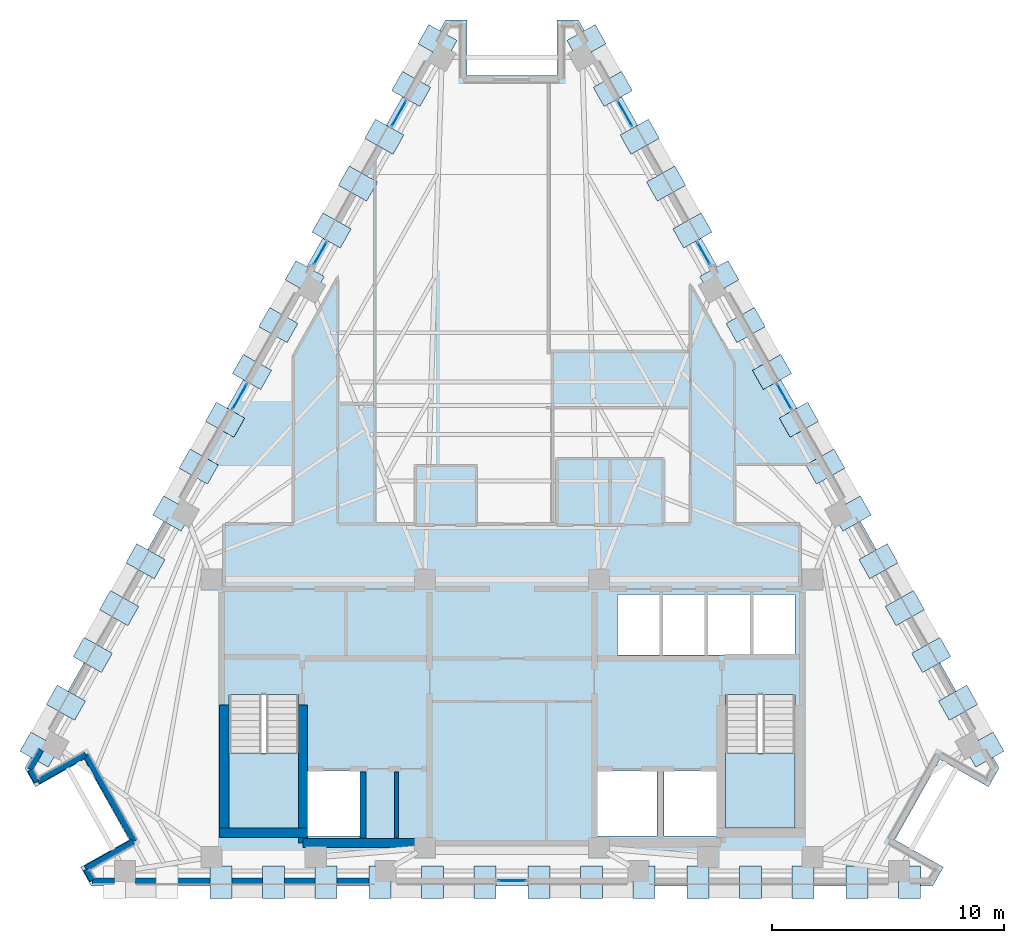
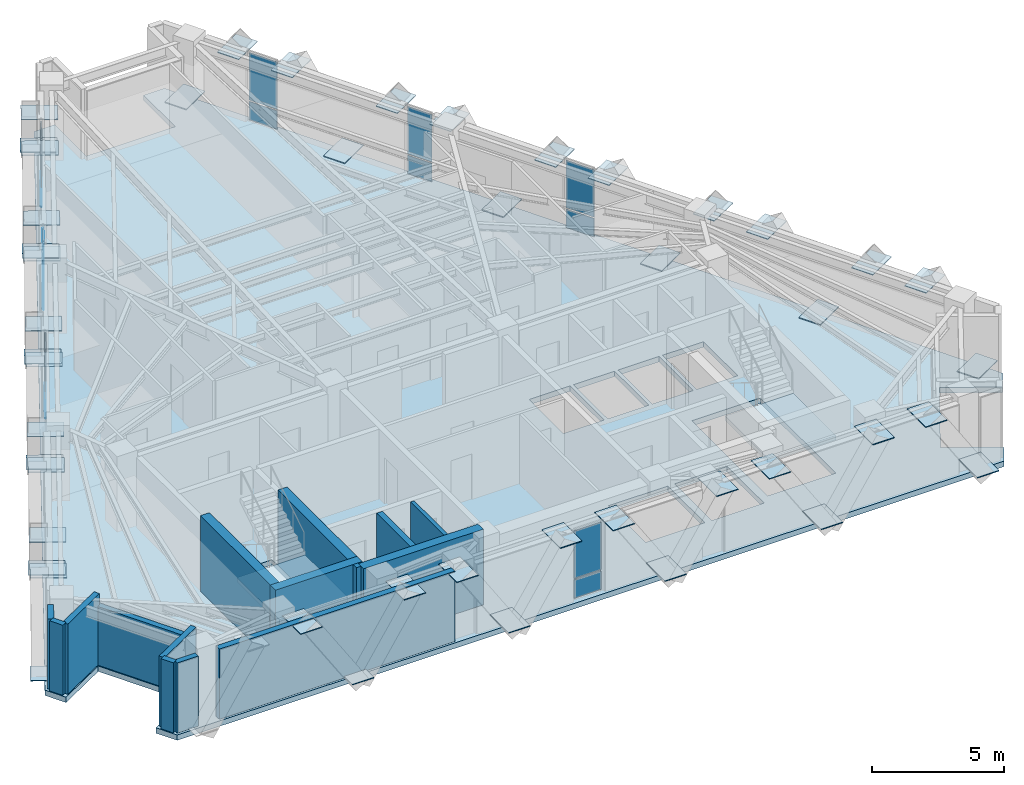
# One storey, part 6 of 12: 60 plates, 14 walls, 3 slabs, 9 elements without a shape of their own.
"""IFC4 building model written with IfcOpenShell, lengths in metres."""

from ifc_helpers import new_model, si_unit, direction, frame, frame_2d, origin, origin_2d, place, context, subcontext, project, spatial, polyline, rectangle, outline, extrude, material, layer, layer_set, type_object, element, aggregate, save


model = new_model("IFC4")

# Units and contexts
model_context = context("Model", 3, precision=1e-05, world=origin(), true_north=direction((0.0, 1.0)))
body_context = subcontext(model_context, "Body", "Model", "MODEL_VIEW")
ifc_project = project(units=[si_unit("LENGTHUNIT", "METRE"), si_unit("AREAUNIT", "SQUARE_METRE"), si_unit("VOLUMEUNIT", "CUBIC_METRE"), si_unit("PLANEANGLEUNIT", "RADIAN"), si_unit("MASSUNIT", "GRAM", prefix="KILO")], contexts=[model_context])

# Site, building, storey
site_placement = place(None, origin())
site = spatial("IfcSite", under=ifc_project, at=site_placement, CompositionType="ELEMENT")
building_placement = place(site_placement, origin())
building = spatial("IfcBuilding", under=site, at=building_placement, Name="Quenlor Broadcast Tower", CompositionType="ELEMENT")
storey_placement = place(building_placement, frame((0.0, 0.0, 211.39990234375)))
storey = spatial("IfcBuildingStorey", under=building, at=storey_placement, Name="L58", CompositionType="ELEMENT", Elevation=211.39990234375)

# Curtain wall, plates
ifc_material_1 = material(Name="Architectural Terracotta and Low-E Glazing", Category="masonry")
curtain_wall_type = type_object("IfcCurtainWallType", Name="Unitised Terracotta Curtain Wall System Z4", PredefinedType="NOTDEFINED", material=ifc_material_1)
curtain_wall_1_placement = place(storey_placement, origin())
curtain_wall_1 = element("IfcCurtainWall", 1, at=curtain_wall_1_placement, inside=storey, type_object=curtain_wall_type, Name="L58 Curtain Wall CW4 (L58-S-G1)", PredefinedType="NOTDEFINED")
ifc_material_2 = material(Name="Double Glazed Low-E Solar Glass", Category="glass")
ifc_layer_1 = layer(ifc_material_2, 0.028076171875)
ifc_layer_set_1 = layer_set([ifc_layer_1], Name="CW4 Double Glazed Vision Panel 28")
plate_type_1 = type_object("IfcPlateType", Name="CW4 Double Glazed Vision Panel 28", PredefinedType="CURTAIN_PANEL", material=ifc_layer_set_1)
plate_1_placement = place(storey_placement, frame((0.0, -17.77490234375, 0.068359375), z_axis=(0.0, 0.0, 1.0), x_axis=(-1.0, 0.0, 0.0)))
plate_1 = element("IfcPlate", 2, at=plate_1_placement, type_object=plate_type_1, Name="CW4 panel 1.1", PredefinedType="CURTAIN_PANEL", context=body_context, shape_type="SweptSolid", body=[
    extrude(rectangle(XDim=1.188720703125, YDim=0.028076171875, at=origin_2d()), origin(), (0.0, 0.0, 1.0), 0.847900390625),
])
plate_2_placement = place(storey_placement, frame((0.0, -17.77490234375, 0.98388671875), z_axis=(0.0, 0.0, 1.0), x_axis=(-1.0, 0.0, 0.0)))
plate_2 = element("IfcPlate", 3, at=plate_2_placement, type_object=plate_type_1, Name="CW4 panel 1.2", PredefinedType="CURTAIN_PANEL", context=body_context, shape_type="SweptSolid", body=[
    extrude(rectangle(XDim=1.188720703125, YDim=0.028076171875, at=origin_2d()), origin(), (0.0, 0.0, 1.0), 2.197998046875),
])
aggregate(curtain_wall_1, [plate_1, plate_2])

curtain_wall_2_placement = place(storey_placement, origin())
curtain_wall_2 = element("IfcCurtainWall", 4, at=curtain_wall_2_placement, inside=storey, type_object=curtain_wall_type, Name="L58 Curtain Wall CW4 (L58-NEA-G1)", PredefinedType="NOTDEFINED")
plate_3_placement = place(storey_placement, frame((4.87060546875, 15.281982421875, 0.068359375), z_axis=(0.0, 0.0, 1.0), x_axis=(0.490288844266, -0.871560008943, 0.0)))
plate_3 = element("IfcPlate", 5, at=plate_3_placement, type_object=plate_type_1, Name="CW4 panel 1.1", PredefinedType="CURTAIN_PANEL", context=body_context, shape_type="SweptSolid", body=[
    extrude(rectangle(XDim=1.239990234375, YDim=0.028076171875, at=origin_2d()), origin(), (0.0, 0.0, 1.0), 0.847900390625),
])
plate_4_placement = place(storey_placement, frame((4.87060546875, 15.281982421875, 0.98388671875), z_axis=(0.0, 0.0, 1.0), x_axis=(0.490288844266, -0.871560008943, 0.0)))
plate_4 = element("IfcPlate", 6, at=plate_4_placement, type_object=plate_type_1, Name="CW4 panel 1.2", PredefinedType="CURTAIN_PANEL", context=body_context, shape_type="SweptSolid", body=[
    extrude(rectangle(XDim=1.239990234375, YDim=0.028076171875, at=origin_2d()), origin(), (0.0, 0.0, 1.0), 2.197998046875),
])
aggregate(curtain_wall_2, [plate_3, plate_4])

curtain_wall_3_placement = place(storey_placement, origin())
curtain_wall_3 = element("IfcCurtainWall", 7, at=curtain_wall_3_placement, inside=storey, type_object=curtain_wall_type, Name="L58 Curtain Wall CW4 (L58-NEA-G2)", PredefinedType="NOTDEFINED")
plate_5_placement = place(storey_placement, frame((8.257080078125, 9.26171875, 0.068359375), z_axis=(0.0, 0.0, 1.0), x_axis=(0.490292850918, -0.871557755022, 0.0)))
plate_5 = element("IfcPlate", 8, at=plate_5_placement, type_object=plate_type_1, Name="CW4 panel 1.1", PredefinedType="CURTAIN_PANEL", context=body_context, shape_type="SweptSolid", body=[
    extrude(rectangle(XDim=1.0654296875, YDim=0.028076171875, at=origin_2d()), origin(), (0.0, 0.0, 1.0), 0.847900390625),
])
plate_6_placement = place(storey_placement, frame((8.257080078125, 9.26171875, 0.98388671875), z_axis=(0.0, 0.0, 1.0), x_axis=(0.490292850918, -0.871557755022, 0.0)))
plate_6 = element("IfcPlate", 9, at=plate_6_placement, type_object=plate_type_1, Name="CW4 panel 1.2", PredefinedType="CURTAIN_PANEL", context=body_context, shape_type="SweptSolid", body=[
    extrude(rectangle(XDim=1.0654296875, YDim=0.028076171875, at=origin_2d()), origin(), (0.0, 0.0, 1.0), 2.197998046875),
])
aggregate(curtain_wall_3, [plate_5, plate_6])

curtain_wall_4_placement = place(storey_placement, origin())
curtain_wall_4 = element("IfcCurtainWall", 10, at=curtain_wall_4_placement, inside=storey, type_object=curtain_wall_type, Name="L58 Curtain Wall CW4 (L58-NE-G1)", PredefinedType="NOTDEFINED")
plate_7_placement = place(storey_placement, frame((11.72900390625, 3.089599609375, 0.068359375), z_axis=(0.0, 0.0, 1.0), x_axis=(0.490288844266, -0.871560008943, 0.0)))
plate_7 = element("IfcPlate", 11, at=plate_7_placement, type_object=plate_type_1, Name="CW4 panel 1.1", PredefinedType="CURTAIN_PANEL", context=body_context, shape_type="SweptSolid", body=[
    extrude(rectangle(XDim=1.239990234375, YDim=0.028076171875, at=origin_2d()), origin(), (0.0, 0.0, 1.0), 0.847900390625),
])
plate_8_placement = place(storey_placement, frame((11.72900390625, 3.089599609375, 0.98388671875), z_axis=(0.0, 0.0, 1.0), x_axis=(0.490288844266, -0.871560008943, 0.0)))
plate_8 = element("IfcPlate", 12, at=plate_8_placement, type_object=plate_type_1, Name="CW4 panel 1.2", PredefinedType="CURTAIN_PANEL", context=body_context, shape_type="SweptSolid", body=[
    extrude(rectangle(XDim=1.239990234375, YDim=0.028076171875, at=origin_2d()), origin(), (0.0, 0.0, 1.0), 2.197998046875),
])
aggregate(curtain_wall_4, [plate_7, plate_8])

curtain_wall_5_placement = place(storey_placement, origin())
curtain_wall_5 = element("IfcCurtainWall", 13, at=curtain_wall_5_placement, inside=storey, type_object=curtain_wall_type, Name="L58 Curtain Wall CW4 (L58-NWC-G1)", PredefinedType="NOTDEFINED")
plate_9_placement = place(storey_placement, frame((-8.257080078125, 9.26171875, 0.068359375), z_axis=(0.0, 0.0, 1.0), x_axis=(0.490292850918, 0.871557755022, 0.0)))
plate_9 = element("IfcPlate", 14, at=plate_9_placement, type_object=plate_type_1, Name="CW4 panel 1.1", PredefinedType="CURTAIN_PANEL", context=body_context, shape_type="SweptSolid", body=[
    extrude(rectangle(XDim=1.0654296875, YDim=0.028076171875, at=origin_2d()), origin(), (0.0, 0.0, 1.0), 0.847900390625),
])
plate_10_placement = place(storey_placement, frame((-8.257080078125, 9.26171875, 0.98388671875), z_axis=(0.0, 0.0, 1.0), x_axis=(0.490292850918, 0.871557755022, 0.0)))
plate_10 = element("IfcPlate", 15, at=plate_10_placement, type_object=plate_type_1, Name="CW4 panel 1.2", PredefinedType="CURTAIN_PANEL", context=body_context, shape_type="SweptSolid", body=[
    extrude(rectangle(XDim=1.0654296875, YDim=0.028076171875, at=origin_2d()), origin(), (0.0, 0.0, 1.0), 2.197998046875),
])
aggregate(curtain_wall_5, [plate_9, plate_10])

curtain_wall_6_placement = place(storey_placement, origin())
curtain_wall_6 = element("IfcCurtainWall", 16, at=curtain_wall_6_placement, inside=storey, type_object=curtain_wall_type, Name="L58 Curtain Wall CW4 (L58-NWC-G2)", PredefinedType="NOTDEFINED")
plate_11_placement = place(storey_placement, frame((-4.87060546875, 15.281982421875, 0.068359375), z_axis=(0.0, 0.0, 1.0), x_axis=(0.490288844266, 0.871560008943, 0.0)))
plate_11 = element("IfcPlate", 17, at=plate_11_placement, type_object=plate_type_1, Name="CW4 panel 1.1", PredefinedType="CURTAIN_PANEL", context=body_context, shape_type="SweptSolid", body=[
    extrude(rectangle(XDim=1.239990234375, YDim=0.028076171875, at=origin_2d()), origin(), (0.0, 0.0, 1.0), 0.847900390625),
])
plate_12_placement = place(storey_placement, frame((-4.87060546875, 15.281982421875, 0.98388671875), z_axis=(0.0, 0.0, 1.0), x_axis=(0.490288844266, 0.871560008943, 0.0)))
plate_12 = element("IfcPlate", 18, at=plate_12_placement, type_object=plate_type_1, Name="CW4 panel 1.2", PredefinedType="CURTAIN_PANEL", context=body_context, shape_type="SweptSolid", body=[
    extrude(rectangle(XDim=1.239990234375, YDim=0.028076171875, at=origin_2d()), origin(), (0.0, 0.0, 1.0), 2.197998046875),
])
aggregate(curtain_wall_6, [plate_11, plate_12])

curtain_wall_7_placement = place(storey_placement, origin())
curtain_wall_7 = element("IfcCurtainWall", 19, at=curtain_wall_7_placement, inside=storey, type_object=curtain_wall_type, Name="L58 Curtain Wall CW4 (L58-NW-G1)", PredefinedType="NOTDEFINED")
plate_13_placement = place(storey_placement, frame((-11.72900390625, 3.089599609375, 0.068359375), z_axis=(0.0, 0.0, 1.0), x_axis=(0.490288844266, 0.871560008943, 0.0)))
plate_13 = element("IfcPlate", 20, at=plate_13_placement, type_object=plate_type_1, Name="CW4 panel 1.1", PredefinedType="CURTAIN_PANEL", context=body_context, shape_type="SweptSolid", body=[
    extrude(rectangle(XDim=1.239990234375, YDim=0.028076171875, at=origin_2d()), origin(), (0.0, 0.0, 1.0), 0.847900390625),
])
plate_14_placement = place(storey_placement, frame((-11.72900390625, 3.089599609375, 0.98388671875), z_axis=(0.0, 0.0, 1.0), x_axis=(0.490288844266, 0.871560008943, 0.0)))
plate_14 = element("IfcPlate", 21, at=plate_14_placement, type_object=plate_type_1, Name="CW4 panel 1.2", PredefinedType="CURTAIN_PANEL", context=body_context, shape_type="SweptSolid", body=[
    extrude(rectangle(XDim=1.239990234375, YDim=0.028076171875, at=origin_2d()), origin(), (0.0, 0.0, 1.0), 2.197998046875),
])
aggregate(curtain_wall_7, [plate_13, plate_14])

# Stair, slab
ifc_material_3 = material(Name="Precast concrete C40/50", Category="concrete")
stair_type = type_object("IfcStairType", Name="Precast Concrete C40/50 Dogleg Stair H350", PredefinedType="HALF_TURN_STAIR", material=ifc_material_3)
stair_1_placement = place(storey_placement, origin())
stair_1 = element("IfcStair", 22, at=stair_1_placement, inside=storey, type_object=stair_type, Name="L58 West Core Fire-Isolated Exit Stair ST-1", PredefinedType="HALF_TURN_STAIR")
ifc_material_4 = material(Name="Precast concrete C40/50", Category="concrete")
ifc_layer_2 = layer(ifc_material_4, 0.199951171875)
ifc_layer_set_2 = layer_set([ifc_layer_2], Name="Precast Concrete C40/50 Stair Landing Slab 200")
slab_type_1 = type_object("IfcSlabType", Name="Precast Concrete C40/50 Stair Landing Slab 200", PredefinedType="LANDING", material=ifc_layer_set_2)
slab_1_placement = place(storey_placement, frame((0.0, 0.0, 1.550048828125)))
slab_1 = element("IfcSlab", 23, at=slab_1_placement, type_object=slab_type_1, Name="ST-1 landing 1", PredefinedType="LANDING", context=body_context, shape_type="SweptSolid", body=[
    extrude(outline(polyline([(-12.199951171875, -12.27001953125), (-12.199951171875, -15.5), (-9.199951171875, -15.5), (-9.199951171875, -12.27001953125), (-12.199951171875, -12.27001953125)])), origin(), (0.0, 0.0, 1.0), 0.199951171875),
])
aggregate(stair_1, [slab_1])

stair_2_placement = place(storey_placement, origin())
stair_2 = element("IfcStair", 24, at=stair_2_placement, inside=storey, type_object=stair_type, Name="L58 East Core Fire-Isolated Exit Stair ST-2", PredefinedType="HALF_TURN_STAIR")
slab_2_placement = place(storey_placement, frame((0.0, 0.0, 1.550048828125)))
slab_2 = element("IfcSlab", 25, at=slab_2_placement, type_object=slab_type_1, Name="ST-2 landing 1", PredefinedType="LANDING", context=body_context, shape_type="SweptSolid", body=[
    extrude(outline(polyline([(9.199951171875, -12.27001953125), (9.199951171875, -15.5), (12.199951171875, -15.5), (12.199951171875, -12.27001953125), (9.199951171875, -12.27001953125)])), origin(), (0.0, 0.0, 1.0), 0.199951171875),
])
aggregate(stair_2, [slab_2])

# Slab
ifc_material_5 = material(Name="Concrete C40/50", Category="concrete")
ifc_layer_3 = layer(ifc_material_5, 0.25)
ifc_layer_set_3 = layer_set([ifc_layer_3], Name="Tower Composite Concrete C40/50 Slab 250")
slab_type_2 = type_object("IfcSlabType", Name="Tower Composite Concrete C40/50 Slab 250", PredefinedType="FLOOR", material=ifc_layer_set_3)
slab_3_placement = place(storey_placement, frame((0.0, 0.0, -0.25)))
element("IfcSlab", 26, at=slab_3_placement, inside=storey, type_object=slab_type_2, Name="L58 Structural Floor Slab", PredefinedType="FLOOR", context=body_context, shape_type="SweptSolid", body=[
    extrude(outline(polyline([(18.1259765625, -18.0), (18.583984375, -17.185791015625), (16.4921875, -16.00927734375), (18.438232421875, -12.549560546875), (20.530029296875, -13.72607421875), (20.988037109375, -12.912109375), (2.862060546875, 19.31201171875), (1.9462890625, 19.31201171875), (1.9462890625, 16.912109375), (-1.9462890625, 16.912109375), (-1.9462890625, 19.31201171875), (-2.862060546875, 19.31201171875), (-20.988037109375, -12.912109375), (-20.530029296875, -13.72607421875), (-18.438232421875, -12.549560546875), (-16.4921875, -16.00927734375), (-18.583984375, -17.185791015625), (-18.1259765625, -18.0), (18.1259765625, -18.0)]), holes=[polyline([(-12.199951171875, -9.758056640625), (-12.199951171875, -15.5), (-9.199951171875, -15.5), (-9.199951171875, -9.758056640625), (-12.199951171875, -9.758056640625)]), polyline([(9.199951171875, -9.758056640625), (9.199951171875, -15.5), (12.199951171875, -15.5), (12.199951171875, -9.758056640625), (9.199951171875, -9.758056640625)]), polyline([(4.550048828125, -8.050048828125), (6.35009765625, -8.050048828125), (6.35009765625, -5.449951171875), (4.550048828125, -5.449951171875), (4.550048828125, -8.050048828125)]), polyline([(6.5, -8.050048828125), (8.300048828125, -8.050048828125), (8.300048828125, -5.449951171875), (6.5, -5.449951171875), (6.5, -8.050048828125)]), polyline([(8.449951171875, -8.050048828125), (10.25, -8.050048828125), (10.25, -5.449951171875), (8.449951171875, -5.449951171875), (8.449951171875, -8.050048828125)]), polyline([(10.39990234375, -8.050048828125), (12.199951171875, -8.050048828125), (12.199951171875, -5.449951171875), (10.39990234375, -5.449951171875), (10.39990234375, -8.050048828125)]), polyline([(-8.85009765625, -15.85009765625), (-6.550048828125, -15.85009765625), (-6.550048828125, -13.050048828125), (-8.85009765625, -13.050048828125), (-8.85009765625, -15.85009765625)]), polyline([(6.550048828125, -15.85009765625), (8.85009765625, -15.85009765625), (8.85009765625, -13.050048828125), (6.550048828125, -13.050048828125), (6.550048828125, -15.85009765625)]), polyline([(3.64990234375, -15.85009765625), (6.25, -15.85009765625), (6.25, -13.050048828125), (3.64990234375, -13.050048828125), (3.64990234375, -15.85009765625)])]), origin(), (0.0, 0.0, 1.0), 0.25),
])

# Plates
ifc_material_6 = material(Name="Steel S355", Category="steel")
ifc_layer_4 = layer(ifc_material_6, 0.035888671875)
ifc_layer_set_4 = layer_set([ifc_layer_4], Name="Transfer Truss Steel S355 Gusset Node Plate 1400x950x36")
plate_type_2 = type_object("IfcPlateType", Name="Transfer Truss Steel S355 Gusset Node Plate 1400x950x36", PredefinedType="SHEET", material=ifc_layer_set_4)
for number, where, z_axis, x_axis, name in (
    (27, (17.1259765625, -17.8349609375, 0.0419921875), (0.0, 0.0, 1.0), (0.0, -1.0, 0.0), "L58 Lattice Tie Gusset Node S-B0"),
    (28, (14.856201171875, -17.8349609375, 3.18212890625), (0.0, 0.0, 1.0), (0.0, -1.0, 0.0), "L58 Lattice Tie Gusset Node S-T1"),
    (29, (10.275634765625, -17.8349609375, 0.0419921875), (0.0, 0.0, 1.0), (0.0, -1.0, 0.0), "L58 Lattice Tie Gusset Node S-B3"),
    (30, (12.54541015625, -17.8349609375, 3.18212890625), (0.0, 0.0, 1.0), (0.0, -1.0, 0.0), "L58 Lattice Tie Gusset Node S-T2"),
    (31, (8.005859375, -17.8349609375, 3.18212890625), (0.0, 0.0, 1.0), (0.0, -1.0, 0.0), "L58 Lattice Tie Gusset Node S-T4"),
    (32, (3.42529296875, -17.8349609375, 0.0419921875), (0.0, 0.0, 1.0), (0.0, -1.0, 0.0), "L58 Lattice Tie Gusset Node S-B6"),
    (33, (5.695068359375, -17.8349609375, 3.18212890625), (0.0, 0.0, 1.0), (0.0, -1.0, 0.0), "L58 Lattice Tie Gusset Node S-T5"),
    (34, (1.155517578125, -17.8349609375, 3.18212890625), (0.0, 0.0, 1.0), (0.0, -1.0, 0.0), "L58 Lattice Tie Gusset Node S-T7"),
    (35, (-3.42529296875, -17.8349609375, 0.0419921875), (0.0, 0.0, 1.0), (0.0, -1.0, 0.0), "L58 Lattice Tie Gusset Node S-B9"),
    (36, (-1.155517578125, -17.8349609375, 3.18212890625), (0.0, 0.0, 1.0), (0.0, -1.0, 0.0), "L58 Lattice Tie Gusset Node S-T8"),
    (37, (-5.695068359375, -17.8349609375, 3.18212890625), (0.0, 0.0, 1.0), (0.0, -1.0, 0.0), "L58 Lattice Tie Gusset Node S-T10"),
    (38, (-10.275634765625, -17.8349609375, 0.0419921875), (0.0, 0.0, 1.0), (0.0, -1.0, 0.0), "L58 Lattice Tie Gusset Node S-B12"),
    (39, (-8.005859375, -17.8349609375, 3.18212890625), (0.0, 0.0, 1.0), (0.0, -1.0, 0.0), "L58 Lattice Tie Gusset Node S-T11"),
    (40, (-12.54541015625, -17.8349609375, 3.18212890625), (0.0, 0.0, 1.0), (0.0, -1.0, 0.0), "L58 Lattice Tie Gusset Node S-T13"),
    (41, (3.20849609375, 18.359619140625, 0.0419921875), (0.0, 0.0, 1.0), (0.871556314255, 0.490295412055, 0.0), "L58 Lattice Tie Gusset Node NE-B0"),
    (42, (4.344482421875, 16.339599609375, 3.18212890625), (0.0, 0.0, 1.0), (0.871556314255, 0.490295412055, 0.0), "L58 Lattice Tie Gusset Node NE-T1"),
    (43, (6.6376953125, 12.263427734375, 0.0419921875), (0.0, 0.0, 1.0), (0.871556314255, 0.490295412055, 0.0), "L58 Lattice Tie Gusset Node NE-B3"),
    (44, (5.50146484375, 14.283203125, 3.18212890625), (0.0, 0.0, 1.0), (0.871556314255, 0.490295412055, 0.0), "L58 Lattice Tie Gusset Node NE-T2"),
    (45, (7.773681640625, 10.243408203125, 3.18212890625), (0.0, 0.0, 1.0), (0.871556314255, 0.490295412055, 0.0), "L58 Lattice Tie Gusset Node NE-T4"),
    (46, (10.066650390625, 6.167236328125, 0.0419921875), (0.0, 0.0, 1.0), (0.871556314255, 0.490295412055, 0.0), "L58 Lattice Tie Gusset Node NE-B6"),
    (47, (8.930419921875, 8.18701171875, 3.18212890625), (0.0, 0.0, 1.0), (0.871556314255, 0.490295412055, 0.0), "L58 Lattice Tie Gusset Node NE-T5"),
    (48, (11.202880859375, 4.147216796875, 3.18212890625), (0.0, 0.0, 1.0), (0.871556314255, 0.490295412055, 0.0), "L58 Lattice Tie Gusset Node NE-T7"),
    (49, (13.49560546875, 0.071044921875, 0.0419921875), (0.0, 0.0, 1.0), (0.871556314255, 0.490295412055, 0.0), "L58 Lattice Tie Gusset Node NE-B9"),
    (50, (12.359619140625, 2.0908203125, 3.18212890625), (0.0, 0.0, 1.0), (0.871556314255, 0.490295412055, 0.0), "L58 Lattice Tie Gusset Node NE-T8"),
    (51, (14.6318359375, -1.94873046875, 3.18212890625), (0.0, 0.0, 1.0), (0.871556314255, 0.490295412055, 0.0), "L58 Lattice Tie Gusset Node NE-T10"),
    (52, (16.9248046875, -6.025146484375, 0.0419921875), (0.0, 0.0, 1.0), (0.871556314255, 0.490295412055, 0.0), "L58 Lattice Tie Gusset Node NE-B12"),
    (53, (15.788818359375, -4.00537109375, 3.18212890625), (0.0, 0.0, 1.0), (0.871556314255, 0.490295412055, 0.0), "L58 Lattice Tie Gusset Node NE-T11"),
    (54, (18.06103515625, -8.044921875, 3.18212890625), (0.0, 0.0, 1.0), (0.871556314255, 0.490295412055, 0.0), "L58 Lattice Tie Gusset Node NE-T13"),
    (55, (20.35400390625, -12.121337890625, 0.0419921875), (0.0, 0.0, 1.0), (0.871556314255, 0.490295412055, 0.0), "L58 Lattice Tie Gusset Node NE-B15"),
    (56, (19.2177734375, -10.101318359375, 3.18212890625), (0.0, 0.0, 1.0), (0.871556314255, 0.490295412055, 0.0), "L58 Lattice Tie Gusset Node NE-T14"),
    (57, (-20.35400390625, -12.121337890625, 0.0419921875), (0.0, 0.0, 1.0), (-0.871556314255, 0.490295412055, 0.0), "L58 Lattice Tie Gusset Node NW-B0"),
    (58, (-19.2177734375, -10.101318359375, 3.18212890625), (0.0, 0.0, 1.0), (-0.871556314255, 0.490295412055, 0.0), "L58 Lattice Tie Gusset Node NW-T1"),
    (59, (-16.9248046875, -6.025146484375, 0.0419921875), (0.0, 0.0, 1.0), (-0.871556314255, 0.490295412055, 0.0), "L58 Lattice Tie Gusset Node NW-B3"),
    (60, (-18.06103515625, -8.044921875, 3.18212890625), (0.0, 0.0, 1.0), (-0.871556314255, 0.490295412055, 0.0), "L58 Lattice Tie Gusset Node NW-T2"),
    (61, (-15.788818359375, -4.00537109375, 3.18212890625), (0.0, 0.0, 1.0), (-0.871556314255, 0.490295412055, 0.0), "L58 Lattice Tie Gusset Node NW-T4"),
    (62, (-13.49560546875, 0.071044921875, 0.0419921875), (0.0, 0.0, 1.0), (-0.871556314255, 0.490295412055, 0.0), "L58 Lattice Tie Gusset Node NW-B6"),
    (63, (-14.6318359375, -1.94873046875, 3.18212890625), (0.0, 0.0, 1.0), (-0.871556314255, 0.490295412055, 0.0), "L58 Lattice Tie Gusset Node NW-T5"),
    (64, (-12.359619140625, 2.0908203125, 3.18212890625), (0.0, 0.0, 1.0), (-0.871556314255, 0.490295412055, 0.0), "L58 Lattice Tie Gusset Node NW-T7"),
    (65, (-10.066650390625, 6.167236328125, 0.0419921875), (0.0, 0.0, 1.0), (-0.871556314255, 0.490295412055, 0.0), "L58 Lattice Tie Gusset Node NW-B9"),
    (66, (-11.202880859375, 4.147216796875, 3.18212890625), (0.0, 0.0, 1.0), (-0.871556314255, 0.490295412055, 0.0), "L58 Lattice Tie Gusset Node NW-T8"),
    (67, (-8.930419921875, 8.18701171875, 3.18212890625), (0.0, 0.0, 1.0), (-0.871556314255, 0.490295412055, 0.0), "L58 Lattice Tie Gusset Node NW-T10"),
    (68, (-6.6376953125, 12.263427734375, 0.0419921875), (0.0, 0.0, 1.0), (-0.871556314255, 0.490295412055, 0.0), "L58 Lattice Tie Gusset Node NW-B12"),
    (69, (-7.773681640625, 10.243408203125, 3.18212890625), (0.0, 0.0, 1.0), (-0.871556314255, 0.490295412055, 0.0), "L58 Lattice Tie Gusset Node NW-T11"),
    (70, (-5.50146484375, 14.283203125, 3.18212890625), (0.0, 0.0, 1.0), (-0.871556314255, 0.490295412055, 0.0), "L58 Lattice Tie Gusset Node NW-T13"),
    (71, (-3.20849609375, 18.359619140625, 0.0419921875), (0.0, 0.0, 1.0), (-0.871556314255, 0.490295412055, 0.0), "L58 Lattice Tie Gusset Node NW-B15"),
    (72, (-4.344482421875, 16.339599609375, 3.18212890625), (0.0, 0.0, 1.0), (-0.871556314255, 0.490295412055, 0.0), "L58 Lattice Tie Gusset Node NW-T14"),
):
    element("IfcPlate", number, at=place(storey_placement, frame(where, z_axis=z_axis, x_axis=x_axis)), inside=storey, type_object=plate_type_2, Name=name, PredefinedType="SHEET", context=body_context, shape_type="SweptSolid", body=[
        extrude(rectangle(XDim=1.39990234375, YDim=0.949951171875, at=origin_2d()), origin(), (0.0, 0.0, 1.0), 0.035888671875),
    ])

# Walls
ifc_material_7 = material(Name="Concrete C50/60", Category="concrete")
ifc_layer_5 = layer(ifc_material_7, 0.39990234375)
ifc_layer_set_5 = layer_set([ifc_layer_5], Name="Core Concrete C50/60 Shear Wall 400")
wall_type_1 = type_object("IfcWallType", Name="Core Concrete C50/60 Shear Wall 400", PredefinedType="SHEAR", material=ifc_layer_set_5)
wall_1_placement = place(storey_placement, frame((-12.60009765625, -15.699951171875, 0.0), z_axis=(0.0, 0.0, 1.0), x_axis=(1.0, 0.0, 0.0)))
element("IfcWall", 73, at=wall_1_placement, inside=storey, type_object=wall_type_1, Name="L58 Core Shear Wall WS-W1", PredefinedType="SHEAR", context=body_context, shape_type="SweptSolid", body=[
    extrude(rectangle(XDim=3.800048828125, YDim=0.39990234375, at=frame_2d((1.89990234375, 0.0))), origin(), (0.0, 0.0, 1.0), 3.5),
])
wall_2_placement = place(storey_placement, frame((-9.0, -16.14990234375, 0.0), z_axis=(0.0, 0.0, 1.0), x_axis=(1.0, 0.0, 0.0)))
element("IfcWall", 74, at=wall_2_placement, inside=storey, type_object=wall_type_1, Name="L58 Core Shear Wall WS-W2", PredefinedType="SHEAR", context=body_context, shape_type="SweptSolid", body=[
    extrude(rectangle(XDim=5.25, YDim=0.39990234375, at=frame_2d((2.625, 0.0))), origin(), (0.0, 0.0, 1.0), 3.5),
])
wall_3_placement = place(storey_placement, frame((-12.39990234375, -15.699951171875, 0.0), z_axis=(0.0, 0.0, 1.0), x_axis=(0.0, 1.0, 0.0)))
element("IfcWall", 75, at=wall_3_placement, inside=storey, type_object=wall_type_1, Name="L58 Core Shear Wall WF-W", PredefinedType="SHEAR", context=body_context, shape_type="SweptSolid", body=[
    extrude(rectangle(XDim=5.5, YDim=0.39990234375, at=frame_2d((2.75, 0.0))), origin(), (0.0, 0.0, 1.0), 3.5),
])
wall_4_placement = place(storey_placement, frame((-9.0, -16.14990234375, 0.0), z_axis=(0.0, 0.0, 1.0), x_axis=(0.0, 1.0, 0.0)))
element("IfcWall", 76, at=wall_4_placement, inside=storey, type_object=wall_type_1, Name="L58 Core Shear Wall WI-W", PredefinedType="SHEAR", context=body_context, shape_type="SweptSolid", body=[
    extrude(rectangle(XDim=5.949951171875, YDim=0.39990234375, at=frame_2d((2.97509765625, 0.0))), origin(), (0.0, 0.0, 1.0), 3.5),
])
ifc_material_8 = material(Name="Concrete C40/50", Category="concrete")
ifc_layer_6 = layer(ifc_material_8, 0.25)
ifc_layer_set_6 = layer_set([ifc_layer_6], Name="Fire Rated Concrete C40/50 Core Wall 250")
wall_type_2 = type_object("IfcWallType", Name="Fire Rated Concrete C40/50 Core Wall 250", PredefinedType="PARTITIONING", material=ifc_layer_set_6)
wall_5_placement = place(storey_placement, frame((-6.419921875, -15.919921875, 0.0), z_axis=(0.0, 0.0, 1.0), x_axis=(0.0, 1.0, 0.0)))
element("IfcWall", 77, at=wall_5_placement, inside=storey, type_object=wall_type_2, Name="L58 Interior Wall CW-FF1-E", PredefinedType="PARTITIONING", context=body_context, shape_type="SweptSolid", body=[
    extrude(rectangle(XDim=2.829833984375, YDim=0.25, at=frame_2d((1.4150390625, 0.0))), origin(), (0.0, 0.0, 1.0), 3.25),
])
ifc_material_9 = material(Name="Gypsum Fireboard Partition", Category="other")
ifc_layer_7 = layer(ifc_material_9, 0.159912109375)
ifc_layer_set_7 = layer_set([ifc_layer_7], Name="Fire Rated Shaft and Corridor Partition 160")
wall_type_3 = type_object("IfcWallType", Name="Fire Rated Shaft and Corridor Partition 160", PredefinedType="PARTITIONING", material=ifc_layer_set_7)
wall_6_placement = place(storey_placement, frame((-4.97998046875, -15.919921875, 0.0), z_axis=(0.0, 0.0, 1.0), x_axis=(0.0, 1.0, 0.0)))
element("IfcWall", 78, at=wall_6_placement, inside=storey, type_object=wall_type_3, Name="L58 Interior Wall CW-ELR-E", PredefinedType="PARTITIONING", context=body_context, shape_type="SweptSolid", body=[
    extrude(rectangle(XDim=2.829833984375, YDim=0.159912109375, at=frame_2d((1.4150390625, 0.0))), origin(), (0.0, 0.0, 1.0), 3.25),
])
ifc_material_10 = material(Name="Precast concrete C40/50", Category="concrete")
ifc_layer_8 = layer(ifc_material_10, 0.239990234375)
ifc_layer_set_8 = layer_set([ifc_layer_8], Name="Terrace Threshold Precast Concrete C40/50 Wall 240")
wall_type_4 = type_object("IfcWallType", Name="Terrace Threshold Precast Concrete C40/50 Wall 240", PredefinedType="STANDARD", material=ifc_layer_set_8)
wall_7_placement = place(storey_placement, frame((-17.130859375, -17.77490234375, 0.0), z_axis=(0.0, 0.0, 1.0), x_axis=(-1.0, 0.0, 0.0)))
element("IfcWall", 79, at=wall_7_placement, inside=storey, type_object=wall_type_4, Name="L58 Exterior Wall L58-SHD-SS1", PredefinedType="STANDARD", context=body_context, shape_type="SweptSolid", body=[
    extrude(rectangle(XDim=0.93505859375, YDim=0.239990234375, at=frame_2d((0.467529296875, 0.0))), origin(), (0.0, 0.0, 1.0), 3.25),
])
wall_8_placement = place(storey_placement, frame((-20.762451171875, -12.969970703125, 0.0), z_axis=(0.0, 0.0, 1.0), x_axis=(0.490345412687, 0.87152818443, 0.0)))
element("IfcWall", 80, at=wall_8_placement, inside=storey, type_object=wall_type_4, Name="L58 Exterior Wall L58-SHD-NWS0", PredefinedType="STANDARD", context=body_context, shape_type="SweptSolid", body=[
    extrude(rectangle(XDim=0.9638671875, YDim=0.239990234375, at=frame_2d((0.48193359375, 0.0))), origin(), (0.0, 0.0, 1.0), 3.25),
])
wall_9_placement = place(storey_placement, frame((-20.75537109375, -12.999267578125, 0.0), z_axis=(0.0, 0.0, 1.0), x_axis=(0.490320776404, -0.871542045014, 0.0)))
element("IfcWall", 81, at=wall_9_placement, inside=storey, type_object=wall_type_4, Name="L58 Exterior Wall L58-CNR-12", PredefinedType="STANDARD", context=body_context, shape_type="SweptSolid", body=[
    extrude(rectangle(XDim=0.583984375, YDim=0.239990234375, at=frame_2d((0.2919921875, 0.0))), origin(), (0.0, 0.0, 1.0), 3.25),
])
wall_10_placement = place(storey_placement, frame((-20.43408203125, -13.488525390625, 0.0), z_axis=(0.0, 0.0, 1.0), x_axis=(0.871578299909, 0.490256327984, 0.0)))
element("IfcWall", 82, at=wall_10_placement, inside=storey, type_object=wall_type_4, Name="L58 Exterior Wall L58-CNR-13", PredefinedType="STANDARD", context=body_context, shape_type="SweptSolid", body=[
    extrude(rectangle(XDim=2.35986328125, YDim=0.239990234375, at=frame_2d((1.179931640625, 0.0))), origin(), (0.0, 0.0, 1.0), 3.25),
])
wall_11_placement = place(storey_placement, frame((-18.357666015625, -12.366455078125, 0.0), z_axis=(0.0, 0.0, 1.0), x_axis=(0.49027487746, -0.871567865706, 0.0)))
element("IfcWall", 83, at=wall_11_placement, inside=storey, type_object=wall_type_4, Name="L58 Exterior Wall L58-CNR-14", PredefinedType="STANDARD", context=body_context, shape_type="SweptSolid", body=[
    extrude(rectangle(XDim=4.249755859375, YDim=0.239990234375, at=frame_2d((2.125, 0.0))), origin(), (0.0, 0.0, 1.0), 2.721923828125),
])
wall_12_placement = place(storey_placement, frame((-16.30908203125, -16.08984375, 0.0), z_axis=(0.0, 0.0, 1.0), x_axis=(-0.871578299909, -0.490256327984, 0.0)))
element("IfcWall", 84, at=wall_12_placement, inside=storey, type_object=wall_type_4, Name="L58 Exterior Wall L58-CNR-15", PredefinedType="STANDARD", context=body_context, shape_type="SweptSolid", body=[
    extrude(rectangle(XDim=2.35986328125, YDim=0.239990234375, at=frame_2d((1.179931640625, 0.0))), origin(), (0.0, 0.0, 1.0), 3.25),
])
wall_13_placement = place(storey_placement, frame((-18.346435546875, -17.28173828125, 0.0), z_axis=(0.0, 0.0, 1.0), x_axis=(0.49038986747, -0.87150317147, 0.0)))
element("IfcWall", 85, at=wall_13_placement, inside=storey, type_object=wall_type_4, Name="L58 Exterior Wall L58-CNR-16", PredefinedType="STANDARD", context=body_context, shape_type="SweptSolid", body=[
    extrude(rectangle(XDim=0.540771484375, YDim=0.239990234375, at=frame_2d((0.2705078125, 0.0))), origin(), (0.0, 0.0, 1.0), 3.25),
])
ifc_material_11 = material(Name="Precast concrete C40/50", Category="concrete")
ifc_layer_9 = layer(ifc_material_11, 0.260009765625)
ifc_layer_set_9 = layer_set([ifc_layer_9], Name="Terracotta Precast Concrete C40/50 Upper Wall 260")
wall_type_5 = type_object("IfcWallType", Name="Terracotta Precast Concrete C40/50 Upper Wall 260", PredefinedType="STANDARD", material=ifc_layer_set_9)
wall_14_placement = place(storey_placement, frame((-5.892822265625, -17.77490234375, 0.0), z_axis=(0.0, 0.0, 1.0), x_axis=(-1.0, 0.0, 0.0)))
element("IfcWall", 86, at=wall_14_placement, inside=storey, type_object=wall_type_5, Name="L58 Exterior Wall L58-EW-SC", PredefinedType="STANDARD", context=body_context, shape_type="SweptSolid", body=[
    extrude(rectangle(XDim=10.328125, YDim=0.260009765625, at=frame_2d((5.1640625, 0.0))), origin(), (0.0, 0.0, 1.0), 3.25),
])

save(model, "model.ifc")
